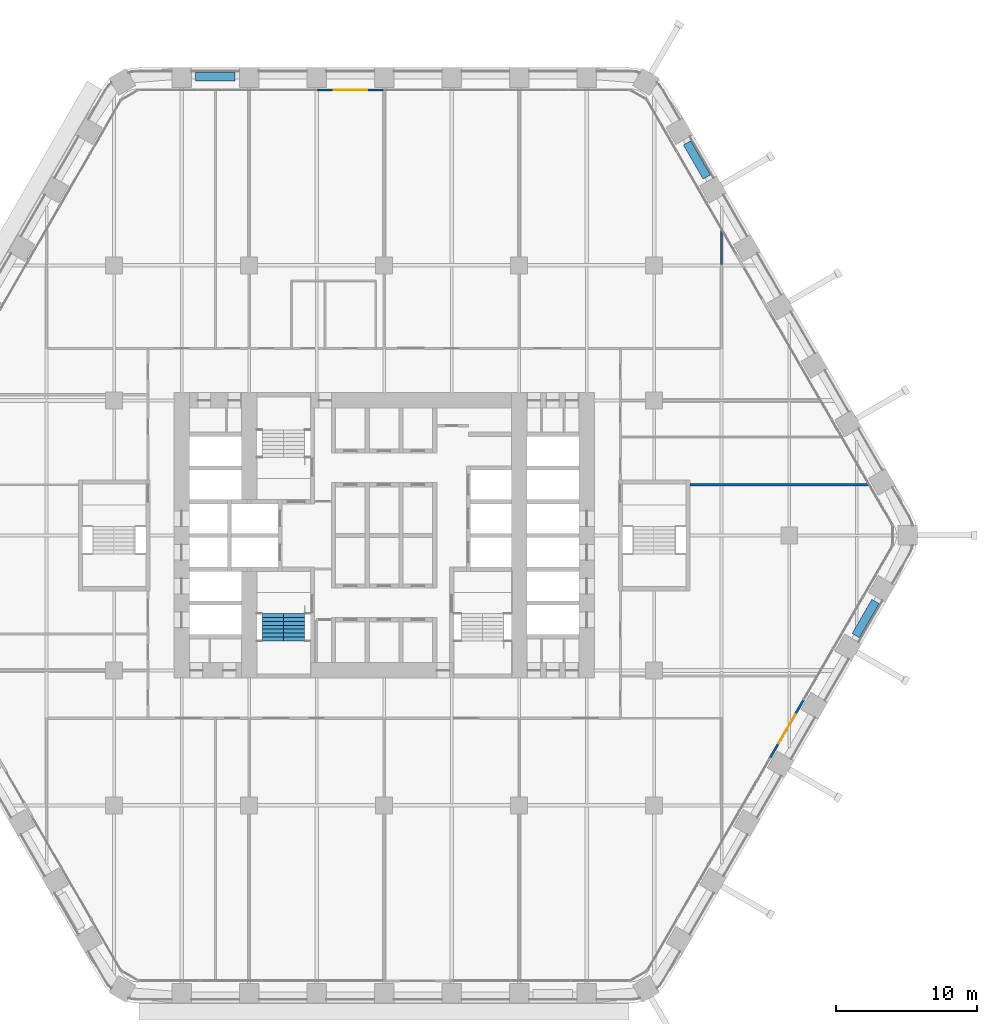
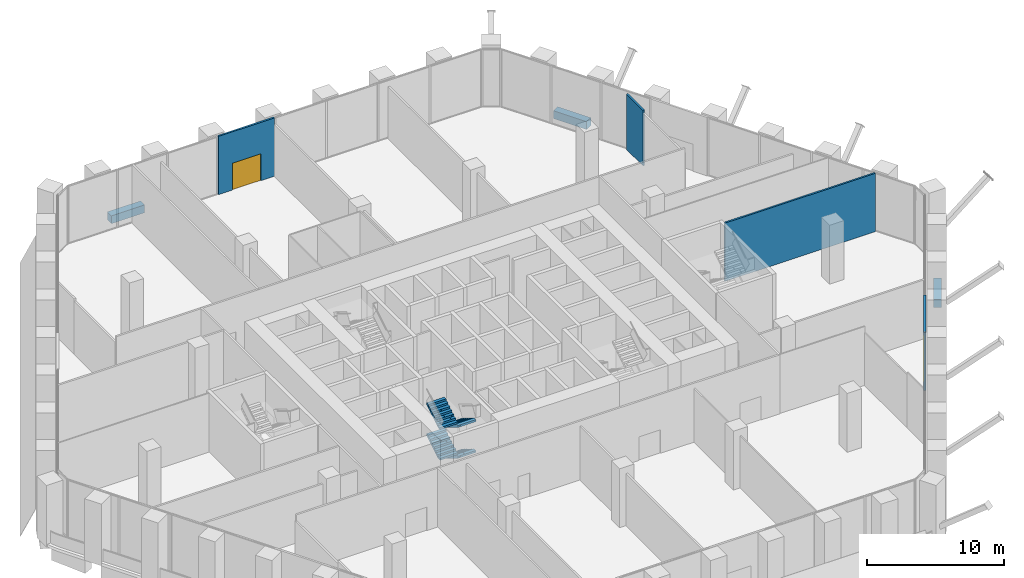
# One storey, part 23 of 29: 7 walls, 4 stair flights, 2 doors, 2 openings, 1 element without a shape of its own.
"""IFC4 building model written with IfcOpenShell, lengths in metres."""

import ifcopenshell
import ifcopenshell.guid

model = None  # the IFC model being written
_history = None  # IfcOwnerHistory: only IFC2X3 demands one
_inside = {}  # id of a spatial element -> (the spatial element, [elements in it])
_under = {}  # id of a project, library or spatial element -> (it, [spatial elements below it])
_declared = {}  # id of a project -> (the project, [libraries it declares])
_typed = {}  # id of a type object -> (the type object, [elements of that type])
_made_of = {}  # id of a material, layer set ... -> (it, [elements and type objects made of it])


def new_model(schema):
    """Start an empty IFC model of exactly this schema.

    Asked for "IFC4X3", IfcOpenShell would pick the latest addendum, in which some entities
    have other attributes; the version numbers below select the first issue.
    IFC2X3 requires an IfcOwnerHistory on every rooted entity: one is made here for all.
    """
    global model, _history
    if schema == "IFC4X3":
        model = ifcopenshell.file(schema_version=(4, 3, 0, 0))
    else:
        model = ifcopenshell.file(schema=schema)
    _inside.clear()
    _under.clear()
    _declared.clear()
    _typed.clear()
    _made_of.clear()
    _history = None
    if model.schema == "IFC2X3":
        org = make("IfcOrganization", Name="unknown")
        user = make(
            "IfcPersonAndOrganization",
            ThePerson=make("IfcPerson", FamilyName="unknown"),
            TheOrganization=org,
        )
        app = make(
            "IfcApplication",
            ApplicationDeveloper=org,
            Version="unknown",
            ApplicationFullName="unknown",
            ApplicationIdentifier="unknown",
        )
        _history = make(
            "IfcOwnerHistory",
            OwningUser=user,
            OwningApplication=app,
            ChangeAction="ADDED",
            CreationDate=0,
        )
    return model


def make(cls, **values):
    """One entity of the class cls with the attributes given. An attribute that is None is left unset."""
    return model.create_entity(
        cls, **{name: value for name, value in values.items() if value is not None}
    )


def rooted(cls, **values):
    """An entity with a GlobalId (a new one), such as an element, a storey or a relation."""
    return make(cls, GlobalId=ifcopenshell.guid.new(), OwnerHistory=_history, **values)


def si_unit(unit_type, name, prefix=None):
    """IfcSIUnit, for example si_unit("LENGTHUNIT", "METRE", prefix="MILLI")."""
    return make("IfcSIUnit", UnitType=unit_type, Prefix=prefix, Name=name)


def assignment(units):
    """IfcUnitAssignment: the units of a project."""
    return None if units is None else make("IfcUnitAssignment", Units=units)


def point(xyz):
    """IfcCartesianPoint."""
    return None if xyz is None else make("IfcCartesianPoint", Coordinates=xyz)


def direction(xyz):
    """IfcDirection."""
    return None if xyz is None else make("IfcDirection", DirectionRatios=xyz)


def frame(location, z_axis=None, x_axis=None):
    """IfcAxis2Placement3D, a coordinate frame: its origin and axes. An axis left out is left unset."""
    return make(
        "IfcAxis2Placement3D",
        Location=point(location),
        Axis=direction(z_axis),
        RefDirection=direction(x_axis),
    )


def frame_2d(location, x_axis=None):
    """IfcAxis2Placement2D, a coordinate frame in the plane: its origin and x axis."""
    return make(
        "IfcAxis2Placement2D", Location=point(location), RefDirection=direction(x_axis)
    )


def origin():
    """The frame at (0, 0, 0) with its axes left unset."""
    return frame((0.0, 0.0, 0.0))


def place(relative_to, where):
    """IfcLocalPlacement: puts the frame where relative to a parent placement (None: the world)."""
    return make(
        "IfcLocalPlacement", PlacementRelTo=relative_to, RelativePlacement=where
    )


def context(
    kind, dimensions, precision=None, world=None, true_north=None, identifier=None
):
    """IfcGeometricRepresentationContext, for example the 3D "Model" context."""
    return make(
        "IfcGeometricRepresentationContext",
        ContextIdentifier=identifier,
        ContextType=kind,
        CoordinateSpaceDimension=dimensions,
        Precision=precision,
        WorldCoordinateSystem=world,
        TrueNorth=true_north,
    )


def subcontext(parent, identifier, kind, view, scale=None):
    """IfcGeometricRepresentationSubContext, for example "Body" below "Model"."""
    return make(
        "IfcGeometricRepresentationSubContext",
        ContextIdentifier=identifier,
        ContextType=kind,
        ParentContext=parent,
        TargetScale=scale,
        TargetView=view,
    )


def project(units=None, contexts=None):
    """IfcProject with its units and contexts."""
    return rooted(
        "IfcProject",
        Name="project",
        RepresentationContexts=contexts,
        UnitsInContext=assignment(units),
    )


def spatial(cls, under=None, at=None, **own):
    """A site, building, storey or space (cls), placed at a placement, below another one or the project."""
    s = rooted(cls, ObjectPlacement=at, **own)
    if under is not None:
        _under.setdefault(under.id(), (under, []))[1].append(s)
    return s


def polyline(points):
    """IfcPolyline through the points."""
    return make("IfcPolyline", Points=[point(p) for p in points])


def profile(cls, at=None, kind="AREA", **sizes):
    """A parametric profile (cls). Its sizes go by their IFC names, for example OverallWidth=200.0."""
    return make(cls, ProfileType=kind, Position=at, **sizes)


def rectangle(**sizes):
    """IfcRectangleProfileDef."""
    return profile("IfcRectangleProfileDef", **sizes)


def outline(outer, holes=None, kind="AREA"):
    """IfcArbitraryClosedProfileDef: a profile drawn as a closed curve; with holes, ...WithVoids."""
    if holes is None:
        return make("IfcArbitraryClosedProfileDef", ProfileType=kind, OuterCurve=outer)
    return make(
        "IfcArbitraryProfileDefWithVoids",
        ProfileType=kind,
        OuterCurve=outer,
        InnerCurves=holes,
    )


def extrude(swept, where, along, depth):
    """IfcExtrudedAreaSolid: the profile swept, set in the frame where, extruded along a direction by depth."""
    return make(
        "IfcExtrudedAreaSolid",
        SweptArea=swept,
        Position=where,
        ExtrudedDirection=direction(along),
        Depth=depth,
    )


def shape(context_of_items, identifier, shape_type, items):
    """IfcShapeRepresentation: the items that make up one representation, for example the "Body"."""
    return make(
        "IfcShapeRepresentation",
        ContextOfItems=context_of_items,
        RepresentationIdentifier=identifier,
        RepresentationType=shape_type,
        Items=items,
    )


def material(Name=None, Category=None):
    """IfcMaterial."""
    return make("IfcMaterial", Name=Name, Category=Category)


def layer(
    of_material, thickness, ventilated=None, Name=None, Category=None, Priority=None
):
    """IfcMaterialLayer: one layer of a wall or slab, of a material (None: an air gap)."""
    return make(
        "IfcMaterialLayer",
        Material=of_material,
        LayerThickness=thickness,
        IsVentilated=ventilated,
        Name=Name,
        Category=Category,
        Priority=Priority,
    )


def layer_set(layers, Name=None):
    """IfcMaterialLayerSet."""
    return make("IfcMaterialLayerSet", MaterialLayers=layers, LayerSetName=Name)


def made_of(thing, what):
    """Note that an element or type object is made of a material, layer set ...; save() writes the relation."""
    if what is not None:
        _made_of.setdefault(what.id(), (what, []))[1].append(thing)
    return thing


def type_object(cls, material=None, **own):
    """A type object (cls), such as IfcWallType, which elements share."""
    return made_of(rooted(cls, **own), material)


def element(
    cls,
    number,
    at=None,
    inside=None,
    cuts=None,
    type_object=None,
    material=None,
    context=None,
    identifier="Body",
    shape_type=None,
    held_by="IfcProductDefinitionShape",
    body=None,
    shapes=None,
    **own,
):
    """One element of the class cls, such as IfcWall. Its Tag is "e" and its number.

    at: its placement. inside: the storey or other place that contains it. cuts: it is an
    opening in that element (IfcRelVoidsElement). A single representation is given by context,
    identifier, shape_type and body (its items); several are given by shapes. held_by: the class
    of the entity that holds the representations. save() writes the other relations.
    """
    e = rooted(cls, Tag="e%d" % number, ObjectPlacement=at, **own)
    if body is not None:
        shapes = [shape(context, identifier, shape_type, body)]
    if shapes is not None:
        e.Representation = make(held_by, Representations=shapes)
    if inside is not None:
        _inside.setdefault(inside.id(), (inside, []))[1].append(e)
    if cuts is not None:
        rooted(
            "IfcRelVoidsElement", RelatingBuildingElement=cuts, RelatedOpeningElement=e
        )
    if type_object is not None:
        _typed.setdefault(type_object.id(), (type_object, []))[1].append(e)
    return made_of(e, material)


def fill(opening, filler):
    """IfcRelFillsElement: the door or window that sits in an opening."""
    return rooted(
        "IfcRelFillsElement",
        RelatingOpeningElement=opening,
        RelatedBuildingElement=filler,
    )


def aggregate(whole, parts):
    """IfcRelAggregates: a whole, such as a stair, and the parts it consists of."""
    return rooted("IfcRelAggregates", RelatingObject=whole, RelatedObjects=parts)


def save(model, path):
    """Write the relations noted so far, then the file.

    IfcRelAggregates (storeys below a building ...), IfcRelContainedInSpatialStructure (elements
    in a storey), IfcRelDefinesByType, IfcRelAssociatesMaterial and IfcRelDeclares: one each for
    every whole, place, type object, material and project.
    """
    for whole, parts in _under.values():
        aggregate(whole, parts)
    for where, things in _inside.values():
        rooted(
            "IfcRelContainedInSpatialStructure",
            RelatedElements=things,
            RelatingStructure=where,
        )
    for kind, things in _typed.values():
        rooted("IfcRelDefinesByType", RelatedObjects=things, RelatingType=kind)
    for what, things in _made_of.values():
        rooted("IfcRelAssociatesMaterial", RelatedObjects=things, RelatingMaterial=what)
    for by, libraries in _declared.values():
        rooted("IfcRelDeclares", RelatingContext=by, RelatedDefinitions=libraries)
    model.write(path)


model = new_model("IFC4")

# Units and contexts
model_context = context("Model", 3, precision=1e-05, world=origin(), true_north=direction((0.0, 1.0)))
body_context = subcontext(model_context, "Body", "Model", "MODEL_VIEW")
ifc_project = project(units=[si_unit("LENGTHUNIT", "METRE"), si_unit("AREAUNIT", "SQUARE_METRE"), si_unit("VOLUMEUNIT", "CUBIC_METRE"), si_unit("PLANEANGLEUNIT", "RADIAN"), si_unit("MASSUNIT", "GRAM", prefix="KILO")], contexts=[model_context])

# Site, building, storey
site_placement = place(None, origin())
site = spatial("IfcSite", under=ifc_project, at=site_placement, CompositionType="ELEMENT")
building_placement = place(site_placement, origin())
building = spatial("IfcBuilding", under=site, at=building_placement, Name="Kolab Exchange Tower", CompositionType="ELEMENT")
storey_placement = place(building_placement, frame((0.0, 0.0, 55.39990234375)))
storey = spatial("IfcBuildingStorey", under=building, at=storey_placement, Name="L10", CompositionType="ELEMENT", Elevation=55.39990234375)

# Wall, opening, door
ifc_material_1 = material(Name="Aluminium EN AW-6063 T6", Category="aluminium")
ifc_layer_1 = layer(ifc_material_1, 0.159912109375)
ifc_layer_set_1 = layer_set([ifc_layer_1], Name="Aluminium EN AW-6063 T6")
wall_type_1 = type_object("IfcWallType", Name="DOOR SURROUND WALL 160 ALUMINIUM FRAMED", PredefinedType="PARTITIONING", material=ifc_layer_set_1)
wall_1_placement = place(storey_placement, frame((-4.77001953125, 31.67529296875, 0.0), z_axis=(0.0, 0.0, 1.0), x_axis=(1.0, 0.0, 0.0)))
wall_1 = element("IfcWall", 1, at=wall_1_placement, inside=storey, type_object=wall_type_1, Name="Door surround wall", PredefinedType="PARTITIONING", context=body_context, shape_type="SweptSolid", body=[
    extrude(rectangle(XDim=4.739990234375, YDim=0.159912109375, at=frame_2d((2.3701171875, 0.0))), origin(), (0.0, 0.0, 1.0), 5.2001953125),
])
opening_1_placement = place(wall_1_placement, frame((1.169921875, 0.0, 0.0)))
opening_1 = element("IfcOpeningElement", 2, at=opening_1_placement, cuts=wall_1, Name="Opening GD1-023", PredefinedType="OPENING", context=body_context, shape_type="SweptSolid", body=[
    extrude(rectangle(XDim=2.39990234375, YDim=2.39990234375, at=frame_2d((1.199951171875, 1.199951171875))), frame((0.0, 0.08984375, 0.0), z_axis=(0.0, -1.0, 0.0), x_axis=(1.0, 0.0, 0.0)), (0.0, 0.0, 1.0), 0.179931640625),
])
door_type = type_object("IfcDoorType", Name="LOGGIA SLIDING GLASS DOOR 2400 X 2400", OperationType="DOUBLE_DOOR_SINGLE_SWING", PredefinedType="DOOR", material=ifc_material_1)
door_1_placement = place(opening_1_placement, origin())
door_1 = element("IfcDoor", 3, at=door_1_placement, inside=storey, type_object=door_type, Name="Loggia door", OperationType="DOUBLE_DOOR_SLIDING", OverallHeight=2.39990234375, OverallWidth=2.39990234375, PredefinedType="DOOR", context=body_context, shape_type="SweptSolid", body=[
    extrude(rectangle(XDim=2.39990234375, YDim=2.39990234375, at=frame_2d((1.199951171875, 1.199951171875))), frame((0.0, 0.02490234375, 0.0), z_axis=(0.0, -1.0, 0.0), x_axis=(1.0, 0.0, 0.0)), (0.0, 0.0, 1.0), 0.050048828125),
])
fill(opening_1, door_1)

wall_2_placement = place(storey_placement, frame((29.816650390625, -11.706787109375, 0.0), z_axis=(0.0, 0.0, 1.0), x_axis=(-0.499978080042, -0.866038058908, 0.0)))
wall_2 = element("IfcWall", 4, at=wall_2_placement, inside=storey, type_object=wall_type_1, Name="Door surround wall", PredefinedType="PARTITIONING", context=body_context, shape_type="SweptSolid", body=[
    extrude(rectangle(XDim=4.739990234375, YDim=0.159912109375, at=frame_2d((2.3701171875, 0.0))), origin(), (0.0, 0.0, 1.0), 5.2001953125),
])
opening_2_placement = place(wall_2_placement, frame((1.169921875, 0.0, 0.0)))
opening_2 = element("IfcOpeningElement", 5, at=opening_2_placement, cuts=wall_2, Name="Opening GD1-025", PredefinedType="OPENING", context=body_context, shape_type="SweptSolid", body=[
    extrude(rectangle(XDim=2.39990234375, YDim=2.39990234375, at=frame_2d((1.199951171875, 1.199951171875))), frame((0.0, 0.08984375, 0.0), z_axis=(0.0, -1.0, 0.0), x_axis=(1.0, 0.0, 0.0)), (0.0, 0.0, 1.0), 0.179931640625),
])
door_2_placement = place(opening_2_placement, origin())
door_2 = element("IfcDoor", 6, at=door_2_placement, inside=storey, type_object=door_type, Name="Loggia door", OperationType="DOUBLE_DOOR_SLIDING", OverallHeight=2.39990234375, OverallWidth=2.39990234375, PredefinedType="DOOR", context=body_context, shape_type="SweptSolid", body=[
    extrude(rectangle(XDim=2.39990234375, YDim=2.39990234375, at=frame_2d((1.199951171875, 1.199951171875))), frame((0.0, 0.02490234375, 0.0), z_axis=(0.0, -1.0, 0.0), x_axis=(1.0, 0.0, 0.0)), (0.0, 0.0, 1.0), 0.050048828125),
])
fill(opening_2, door_2)

# Walls
ifc_material_2 = material(Name="Gypsum board", Category="gypsum")
ifc_layer_2 = layer(ifc_material_2, 0.14990234375)
ifc_layer_set_2 = layer_set([ifc_layer_2], Name="Gypsum board")
wall_type_2 = type_object("IfcWallType", Name="PARTITION 150 FIRE-RATED", PredefinedType="PARTITIONING", material=ifc_layer_set_2)
wall_3_placement = place(storey_placement, frame((24.0, 19.27392578125, 0.0), z_axis=(0.0, 0.0, 1.0), x_axis=(0.0, 1.0, 0.0)))
element("IfcWall", 7, at=wall_3_placement, inside=storey, type_object=wall_type_2, Name="Partition 001", PredefinedType="PARTITIONING", context=body_context, shape_type="SweptSolid", body=[
    extrude(rectangle(XDim=2.427490234375, YDim=0.14990234375, at=frame_2d((1.2138671875, 0.0))), origin(), (0.0, 0.0, 1.0), 4.940185546875),
])
wall_4_placement = place(storey_placement, frame((21.75, 3.60009765625, 0.0), z_axis=(0.0, 0.0, 1.0), x_axis=(1.0, 0.0, 0.0)))
element("IfcWall", 8, at=wall_4_placement, inside=storey, type_object=wall_type_2, Name="Partition 041", PredefinedType="PARTITIONING", context=body_context, shape_type="SweptSolid", body=[
    extrude(rectangle(XDim=12.700927734375, YDim=0.14990234375, at=frame_2d((6.3505859375, 0.0))), origin(), (0.0, 0.0, 1.0), 5.2001953125),
])
ifc_material_3 = material(Name="Granite facing", Category="masonry")
ifc_layer_3 = layer(ifc_material_3, 0.0400390625)
ifc_material_4 = material(Name="Concrete C40/50 precast", Category="concrete")
ifc_layer_4 = layer(ifc_material_4, 0.56005859375)
ifc_layer_set_3 = layer_set([ifc_layer_3, ifc_layer_4], Name="Concrete C40/50 precast")
wall_type_3 = type_object("IfcWallType", Name="PLANTER BOX 600 X 700 SOIL DEPTH 550", PredefinedType="USERDEFINED", material=ifc_layer_set_3)
for number, where, z_axis, x_axis, name in (
    (9, (-13.39990234375, 32.60546875, 0.0), (0.0, 0.0, 1.0), (1.0, 0.0, 0.0), "Planter"),
    (10, (21.537109375, 27.907470703125, 0.0), (0.0, 0.0, 1.0), (0.49998411664, -0.866034573852, 0.0), "Planter"),
    (11, (34.93701171875, -4.697998046875, 0.0), (0.0, 0.0, 1.0), (-0.49998411664, -0.866034573852, 0.0), "Planter"),
):
    element("IfcWall", number, at=place(storey_placement, frame(where, z_axis=z_axis, x_axis=x_axis)), inside=storey, type_object=wall_type_3, Name=name, ObjectType="PLANTER", PredefinedType="USERDEFINED", context=body_context, shape_type="SweptSolid", body=[
        extrude(rectangle(XDim=2.7998046875, YDim=0.60009765625, at=frame_2d((1.39990234375, 0.0))), origin(), (0.0, 0.0, 1.0), 0.7001953125),
    ])

# Stair, stair flights
ifc_material_5 = material(Name="Concrete C50/60", Category="concrete")
stair_type = type_object("IfcStairType", Name="STAIR ST3 RISER 171.9", PredefinedType="DOUBLE_RETURN_STAIR", material=ifc_material_5)
stair_placement = place(storey_placement, origin())
stair = element("IfcStair", 12, at=stair_placement, inside=storey, type_object=stair_type, Name="Stair 3", PredefinedType="DOUBLE_RETURN_STAIR")
stair_flight_type = type_object("IfcStairFlightType", Name="STAIR FLIGHT 1500 RISER 171.9", PredefinedType="STRAIGHT", material=ifc_material_5)
stair_flight_1_placement = place(storey_placement, frame((-6.389892578125, -5.550048828125, 0.0), z_axis=(0.0, 0.0, 1.0), x_axis=(0.0, -1.0, 0.0)))
stair_flight_1 = element("IfcStairFlight", 13, at=stair_flight_1_placement, type_object=stair_flight_type, Name="ST3 flight 1", NumberOfRisers=8, NumberOfTreads=7, PredefinedType="STRAIGHT", RiserHeight=0.171875, TreadLength=0.28, context=body_context, shape_type="SweptSolid", body=[
    extrude(outline(polyline([(0.0, 0.0), (0.0, 0.171875), (0.280029296875, 0.171875), (0.280029296875, 0.34375), (0.56005859375, 0.34375), (0.56005859375, 0.515625), (0.840087890625, 0.515625), (0.840087890625, 0.6875), (1.1201171875, 0.6875), (1.1201171875, 0.859375), (1.39990234375, 0.859375), (1.39990234375, 1.03125), (1.679931640625, 1.03125), (1.679931640625, 1.203125), (1.9599609375, 1.203125), (1.9599609375, 1.375), (1.9599609375, 1.02734375), (0.28662109375, 0.0), (0.0, 0.0)])), frame((0.0, 0.75, 0.0), z_axis=(0.0, -1.0, 0.0), x_axis=(1.0, 0.0, 0.0)), (0.0, 0.0, 1.0), 0.185791015625),
    extrude(outline(polyline([(0.0, 0.0), (0.0, 0.171875), (0.280029296875, 0.171875), (0.280029296875, 0.34375), (0.56005859375, 0.34375), (0.56005859375, 0.515625), (0.840087890625, 0.515625), (0.840087890625, 0.6875), (1.1201171875, 0.6875), (1.1201171875, 0.859375), (1.39990234375, 0.859375), (1.39990234375, 1.03125), (1.679931640625, 1.03125), (1.679931640625, 1.203125), (1.9599609375, 1.203125), (1.9599609375, 1.375), (1.9599609375, 1.02734375), (0.28662109375, 0.0), (0.0, 0.0)])), frame((0.0, 0.562255859375, 0.0), z_axis=(0.0, -1.0, 0.0), x_axis=(1.0, 0.0, 0.0)), (0.0, 0.0, 1.0), 0.185791015625),
    extrude(outline(polyline([(0.0, 0.0), (0.0, 0.171875), (0.280029296875, 0.171875), (0.280029296875, 0.34375), (0.56005859375, 0.34375), (0.56005859375, 0.515625), (0.840087890625, 0.515625), (0.840087890625, 0.6875), (1.1201171875, 0.6875), (1.1201171875, 0.859375), (1.39990234375, 0.859375), (1.39990234375, 1.03125), (1.679931640625, 1.03125), (1.679931640625, 1.203125), (1.9599609375, 1.203125), (1.9599609375, 1.375), (1.9599609375, 1.02734375), (0.28662109375, 0.0), (0.0, 0.0)])), frame((0.0, 0.37451171875, 0.0), z_axis=(0.0, -1.0, 0.0), x_axis=(1.0, 0.0, 0.0)), (0.0, 0.0, 1.0), 0.185791015625),
    extrude(outline(polyline([(0.0, 0.0), (0.0, 0.171875), (0.280029296875, 0.171875), (0.280029296875, 0.34375), (0.56005859375, 0.34375), (0.56005859375, 0.515625), (0.840087890625, 0.515625), (0.840087890625, 0.6875), (1.1201171875, 0.6875), (1.1201171875, 0.859375), (1.39990234375, 0.859375), (1.39990234375, 1.03125), (1.679931640625, 1.03125), (1.679931640625, 1.203125), (1.9599609375, 1.203125), (1.9599609375, 1.375), (1.9599609375, 1.02734375), (0.28662109375, 0.0), (0.0, 0.0)])), frame((0.0, 0.186767578125, 0.0), z_axis=(0.0, -1.0, 0.0), x_axis=(1.0, 0.0, 0.0)), (0.0, 0.0, 1.0), 0.185791015625),
    extrude(outline(polyline([(0.0, 0.0), (0.0, 0.171875), (0.280029296875, 0.171875), (0.280029296875, 0.34375), (0.56005859375, 0.34375), (0.56005859375, 0.515625), (0.840087890625, 0.515625), (0.840087890625, 0.6875), (1.1201171875, 0.6875), (1.1201171875, 0.859375), (1.39990234375, 0.859375), (1.39990234375, 1.03125), (1.679931640625, 1.03125), (1.679931640625, 1.203125), (1.9599609375, 1.203125), (1.9599609375, 1.375), (1.9599609375, 1.02734375), (0.28662109375, 0.0), (0.0, 0.0)])), frame((0.0, -0.0009765625, 0.0), z_axis=(0.0, -1.0, 0.0), x_axis=(1.0, 0.0, 0.0)), (0.0, 0.0, 1.0), 0.185791015625),
    extrude(outline(polyline([(0.0, 0.0), (0.0, 0.171875), (0.280029296875, 0.171875), (0.280029296875, 0.34375), (0.56005859375, 0.34375), (0.56005859375, 0.515625), (0.840087890625, 0.515625), (0.840087890625, 0.6875), (1.1201171875, 0.6875), (1.1201171875, 0.859375), (1.39990234375, 0.859375), (1.39990234375, 1.03125), (1.679931640625, 1.03125), (1.679931640625, 1.203125), (1.9599609375, 1.203125), (1.9599609375, 1.375), (1.9599609375, 1.02734375), (0.28662109375, 0.0), (0.0, 0.0)])), frame((0.0, -0.188720703125, 0.0), z_axis=(0.0, -1.0, 0.0), x_axis=(1.0, 0.0, 0.0)), (0.0, 0.0, 1.0), 0.185791015625),
    extrude(outline(polyline([(0.0, 0.0), (0.0, 0.171875), (0.280029296875, 0.171875), (0.280029296875, 0.34375), (0.56005859375, 0.34375), (0.56005859375, 0.515625), (0.840087890625, 0.515625), (0.840087890625, 0.6875), (1.1201171875, 0.6875), (1.1201171875, 0.859375), (1.39990234375, 0.859375), (1.39990234375, 1.03125), (1.679931640625, 1.03125), (1.679931640625, 1.203125), (1.9599609375, 1.203125), (1.9599609375, 1.375), (1.9599609375, 1.02734375), (0.28662109375, 0.0), (0.0, 0.0)])), frame((0.0, -0.37646484375, 0.0), z_axis=(0.0, -1.0, 0.0), x_axis=(1.0, 0.0, 0.0)), (0.0, 0.0, 1.0), 0.185791015625),
    extrude(outline(polyline([(0.0, 0.0), (0.0, 0.171875), (0.280029296875, 0.171875), (0.280029296875, 0.34375), (0.56005859375, 0.34375), (0.56005859375, 0.515625), (0.840087890625, 0.515625), (0.840087890625, 0.6875), (1.1201171875, 0.6875), (1.1201171875, 0.859375), (1.39990234375, 0.859375), (1.39990234375, 1.03125), (1.679931640625, 1.03125), (1.679931640625, 1.203125), (1.9599609375, 1.203125), (1.9599609375, 1.375), (1.9599609375, 1.02734375), (0.28662109375, 0.0), (0.0, 0.0)])), frame((0.0, -0.564208984375, 0.0), z_axis=(0.0, -1.0, 0.0), x_axis=(1.0, 0.0, 0.0)), (0.0, 0.0, 1.0), 0.185791015625),
])
stair_flight_2_placement = place(storey_placement, frame((-7.909912109375, -7.510009765625, 1.375), z_axis=(0.0, 0.0, 1.0), x_axis=(0.0, 1.0, 0.0)))
stair_flight_2 = element("IfcStairFlight", 14, at=stair_flight_2_placement, type_object=stair_flight_type, Name="ST3 flight 2", NumberOfRisers=8, NumberOfTreads=7, PredefinedType="STRAIGHT", RiserHeight=0.171875, TreadLength=0.28, context=body_context, shape_type="SweptSolid", body=[
    extrude(outline(polyline([(0.0, 0.0), (0.0, 0.171875), (0.280029296875, 0.171875), (0.280029296875, 0.34375), (0.56005859375, 0.34375), (0.56005859375, 0.515625), (0.840087890625, 0.515625), (0.840087890625, 0.6875), (1.1201171875, 0.6875), (1.1201171875, 0.859375), (1.39990234375, 0.859375), (1.39990234375, 1.03125), (1.679931640625, 1.03125), (1.679931640625, 1.203125), (1.9599609375, 1.203125), (1.9599609375, 1.375), (1.9599609375, 1.02734375), (0.28662109375, 0.0), (0.0, 0.0)])), frame((0.0, 0.75, 0.0), z_axis=(0.0, -1.0, 0.0), x_axis=(1.0, 0.0, 0.0)), (0.0, 0.0, 1.0), 0.185791015625),
    extrude(outline(polyline([(0.0, 0.0), (0.0, 0.171875), (0.280029296875, 0.171875), (0.280029296875, 0.34375), (0.56005859375, 0.34375), (0.56005859375, 0.515625), (0.840087890625, 0.515625), (0.840087890625, 0.6875), (1.1201171875, 0.6875), (1.1201171875, 0.859375), (1.39990234375, 0.859375), (1.39990234375, 1.03125), (1.679931640625, 1.03125), (1.679931640625, 1.203125), (1.9599609375, 1.203125), (1.9599609375, 1.375), (1.9599609375, 1.02734375), (0.28662109375, 0.0), (0.0, 0.0)])), frame((0.0, 0.562255859375, 0.0), z_axis=(0.0, -1.0, 0.0), x_axis=(1.0, 0.0, 0.0)), (0.0, 0.0, 1.0), 0.185791015625),
    extrude(outline(polyline([(0.0, 0.0), (0.0, 0.171875), (0.280029296875, 0.171875), (0.280029296875, 0.34375), (0.56005859375, 0.34375), (0.56005859375, 0.515625), (0.840087890625, 0.515625), (0.840087890625, 0.6875), (1.1201171875, 0.6875), (1.1201171875, 0.859375), (1.39990234375, 0.859375), (1.39990234375, 1.03125), (1.679931640625, 1.03125), (1.679931640625, 1.203125), (1.9599609375, 1.203125), (1.9599609375, 1.375), (1.9599609375, 1.02734375), (0.28662109375, 0.0), (0.0, 0.0)])), frame((0.0, 0.37451171875, 0.0), z_axis=(0.0, -1.0, 0.0), x_axis=(1.0, 0.0, 0.0)), (0.0, 0.0, 1.0), 0.185791015625),
    extrude(outline(polyline([(0.0, 0.0), (0.0, 0.171875), (0.280029296875, 0.171875), (0.280029296875, 0.34375), (0.56005859375, 0.34375), (0.56005859375, 0.515625), (0.840087890625, 0.515625), (0.840087890625, 0.6875), (1.1201171875, 0.6875), (1.1201171875, 0.859375), (1.39990234375, 0.859375), (1.39990234375, 1.03125), (1.679931640625, 1.03125), (1.679931640625, 1.203125), (1.9599609375, 1.203125), (1.9599609375, 1.375), (1.9599609375, 1.02734375), (0.28662109375, 0.0), (0.0, 0.0)])), frame((0.0, 0.186767578125, 0.0), z_axis=(0.0, -1.0, 0.0), x_axis=(1.0, 0.0, 0.0)), (0.0, 0.0, 1.0), 0.185791015625),
    extrude(outline(polyline([(0.0, 0.0), (0.0, 0.171875), (0.280029296875, 0.171875), (0.280029296875, 0.34375), (0.56005859375, 0.34375), (0.56005859375, 0.515625), (0.840087890625, 0.515625), (0.840087890625, 0.6875), (1.1201171875, 0.6875), (1.1201171875, 0.859375), (1.39990234375, 0.859375), (1.39990234375, 1.03125), (1.679931640625, 1.03125), (1.679931640625, 1.203125), (1.9599609375, 1.203125), (1.9599609375, 1.375), (1.9599609375, 1.02734375), (0.28662109375, 0.0), (0.0, 0.0)])), frame((0.0, -0.0009765625, 0.0), z_axis=(0.0, -1.0, 0.0), x_axis=(1.0, 0.0, 0.0)), (0.0, 0.0, 1.0), 0.185791015625),
    extrude(outline(polyline([(0.0, 0.0), (0.0, 0.171875), (0.280029296875, 0.171875), (0.280029296875, 0.34375), (0.56005859375, 0.34375), (0.56005859375, 0.515625), (0.840087890625, 0.515625), (0.840087890625, 0.6875), (1.1201171875, 0.6875), (1.1201171875, 0.859375), (1.39990234375, 0.859375), (1.39990234375, 1.03125), (1.679931640625, 1.03125), (1.679931640625, 1.203125), (1.9599609375, 1.203125), (1.9599609375, 1.375), (1.9599609375, 1.02734375), (0.28662109375, 0.0), (0.0, 0.0)])), frame((0.0, -0.188720703125, 0.0), z_axis=(0.0, -1.0, 0.0), x_axis=(1.0, 0.0, 0.0)), (0.0, 0.0, 1.0), 0.185791015625),
    extrude(outline(polyline([(0.0, 0.0), (0.0, 0.171875), (0.280029296875, 0.171875), (0.280029296875, 0.34375), (0.56005859375, 0.34375), (0.56005859375, 0.515625), (0.840087890625, 0.515625), (0.840087890625, 0.6875), (1.1201171875, 0.6875), (1.1201171875, 0.859375), (1.39990234375, 0.859375), (1.39990234375, 1.03125), (1.679931640625, 1.03125), (1.679931640625, 1.203125), (1.9599609375, 1.203125), (1.9599609375, 1.375), (1.9599609375, 1.02734375), (0.28662109375, 0.0), (0.0, 0.0)])), frame((0.0, -0.37646484375, 0.0), z_axis=(0.0, -1.0, 0.0), x_axis=(1.0, 0.0, 0.0)), (0.0, 0.0, 1.0), 0.185791015625),
    extrude(outline(polyline([(0.0, 0.0), (0.0, 0.171875), (0.280029296875, 0.171875), (0.280029296875, 0.34375), (0.56005859375, 0.34375), (0.56005859375, 0.515625), (0.840087890625, 0.515625), (0.840087890625, 0.6875), (1.1201171875, 0.6875), (1.1201171875, 0.859375), (1.39990234375, 0.859375), (1.39990234375, 1.03125), (1.679931640625, 1.03125), (1.679931640625, 1.203125), (1.9599609375, 1.203125), (1.9599609375, 1.375), (1.9599609375, 1.02734375), (0.28662109375, 0.0), (0.0, 0.0)])), frame((0.0, -0.564208984375, 0.0), z_axis=(0.0, -1.0, 0.0), x_axis=(1.0, 0.0, 0.0)), (0.0, 0.0, 1.0), 0.185791015625),
])
stair_flight_3_placement = place(storey_placement, frame((-6.389892578125, -5.550048828125, 2.75), z_axis=(0.0, 0.0, 1.0), x_axis=(0.0, -1.0, 0.0)))
stair_flight_3 = element("IfcStairFlight", 15, at=stair_flight_3_placement, type_object=stair_flight_type, Name="ST3 flight 3", NumberOfRisers=8, NumberOfTreads=7, PredefinedType="STRAIGHT", RiserHeight=0.171875, TreadLength=0.28, context=body_context, shape_type="SweptSolid", body=[
    extrude(outline(polyline([(0.0, 0.0), (0.0, 0.171875), (0.280029296875, 0.171875), (0.280029296875, 0.34375), (0.56005859375, 0.34375), (0.56005859375, 0.515625), (0.840087890625, 0.515625), (0.840087890625, 0.6875), (1.1201171875, 0.6875), (1.1201171875, 0.859375), (1.39990234375, 0.859375), (1.39990234375, 1.03125), (1.679931640625, 1.03125), (1.679931640625, 1.203125), (1.9599609375, 1.203125), (1.9599609375, 1.375), (1.9599609375, 1.02734375), (0.28662109375, 0.0), (0.0, 0.0)])), frame((0.0, 0.75, 0.0), z_axis=(0.0, -1.0, 0.0), x_axis=(1.0, 0.0, 0.0)), (0.0, 0.0, 1.0), 0.185791015625),
    extrude(outline(polyline([(0.0, 0.0), (0.0, 0.171875), (0.280029296875, 0.171875), (0.280029296875, 0.34375), (0.56005859375, 0.34375), (0.56005859375, 0.515625), (0.840087890625, 0.515625), (0.840087890625, 0.6875), (1.1201171875, 0.6875), (1.1201171875, 0.859375), (1.39990234375, 0.859375), (1.39990234375, 1.03125), (1.679931640625, 1.03125), (1.679931640625, 1.203125), (1.9599609375, 1.203125), (1.9599609375, 1.375), (1.9599609375, 1.02734375), (0.28662109375, 0.0), (0.0, 0.0)])), frame((0.0, 0.562255859375, 0.0), z_axis=(0.0, -1.0, 0.0), x_axis=(1.0, 0.0, 0.0)), (0.0, 0.0, 1.0), 0.185791015625),
    extrude(outline(polyline([(0.0, 0.0), (0.0, 0.171875), (0.280029296875, 0.171875), (0.280029296875, 0.34375), (0.56005859375, 0.34375), (0.56005859375, 0.515625), (0.840087890625, 0.515625), (0.840087890625, 0.6875), (1.1201171875, 0.6875), (1.1201171875, 0.859375), (1.39990234375, 0.859375), (1.39990234375, 1.03125), (1.679931640625, 1.03125), (1.679931640625, 1.203125), (1.9599609375, 1.203125), (1.9599609375, 1.375), (1.9599609375, 1.02734375), (0.28662109375, 0.0), (0.0, 0.0)])), frame((0.0, 0.37451171875, 0.0), z_axis=(0.0, -1.0, 0.0), x_axis=(1.0, 0.0, 0.0)), (0.0, 0.0, 1.0), 0.185791015625),
    extrude(outline(polyline([(0.0, 0.0), (0.0, 0.171875), (0.280029296875, 0.171875), (0.280029296875, 0.34375), (0.56005859375, 0.34375), (0.56005859375, 0.515625), (0.840087890625, 0.515625), (0.840087890625, 0.6875), (1.1201171875, 0.6875), (1.1201171875, 0.859375), (1.39990234375, 0.859375), (1.39990234375, 1.03125), (1.679931640625, 1.03125), (1.679931640625, 1.203125), (1.9599609375, 1.203125), (1.9599609375, 1.375), (1.9599609375, 1.02734375), (0.28662109375, 0.0), (0.0, 0.0)])), frame((0.0, 0.186767578125, 0.0), z_axis=(0.0, -1.0, 0.0), x_axis=(1.0, 0.0, 0.0)), (0.0, 0.0, 1.0), 0.185791015625),
    extrude(outline(polyline([(0.0, 0.0), (0.0, 0.171875), (0.280029296875, 0.171875), (0.280029296875, 0.34375), (0.56005859375, 0.34375), (0.56005859375, 0.515625), (0.840087890625, 0.515625), (0.840087890625, 0.6875), (1.1201171875, 0.6875), (1.1201171875, 0.859375), (1.39990234375, 0.859375), (1.39990234375, 1.03125), (1.679931640625, 1.03125), (1.679931640625, 1.203125), (1.9599609375, 1.203125), (1.9599609375, 1.375), (1.9599609375, 1.02734375), (0.28662109375, 0.0), (0.0, 0.0)])), frame((0.0, -0.0009765625, 0.0), z_axis=(0.0, -1.0, 0.0), x_axis=(1.0, 0.0, 0.0)), (0.0, 0.0, 1.0), 0.185791015625),
    extrude(outline(polyline([(0.0, 0.0), (0.0, 0.171875), (0.280029296875, 0.171875), (0.280029296875, 0.34375), (0.56005859375, 0.34375), (0.56005859375, 0.515625), (0.840087890625, 0.515625), (0.840087890625, 0.6875), (1.1201171875, 0.6875), (1.1201171875, 0.859375), (1.39990234375, 0.859375), (1.39990234375, 1.03125), (1.679931640625, 1.03125), (1.679931640625, 1.203125), (1.9599609375, 1.203125), (1.9599609375, 1.375), (1.9599609375, 1.02734375), (0.28662109375, 0.0), (0.0, 0.0)])), frame((0.0, -0.188720703125, 0.0), z_axis=(0.0, -1.0, 0.0), x_axis=(1.0, 0.0, 0.0)), (0.0, 0.0, 1.0), 0.185791015625),
    extrude(outline(polyline([(0.0, 0.0), (0.0, 0.171875), (0.280029296875, 0.171875), (0.280029296875, 0.34375), (0.56005859375, 0.34375), (0.56005859375, 0.515625), (0.840087890625, 0.515625), (0.840087890625, 0.6875), (1.1201171875, 0.6875), (1.1201171875, 0.859375), (1.39990234375, 0.859375), (1.39990234375, 1.03125), (1.679931640625, 1.03125), (1.679931640625, 1.203125), (1.9599609375, 1.203125), (1.9599609375, 1.375), (1.9599609375, 1.02734375), (0.28662109375, 0.0), (0.0, 0.0)])), frame((0.0, -0.37646484375, 0.0), z_axis=(0.0, -1.0, 0.0), x_axis=(1.0, 0.0, 0.0)), (0.0, 0.0, 1.0), 0.185791015625),
    extrude(outline(polyline([(0.0, 0.0), (0.0, 0.171875), (0.280029296875, 0.171875), (0.280029296875, 0.34375), (0.56005859375, 0.34375), (0.56005859375, 0.515625), (0.840087890625, 0.515625), (0.840087890625, 0.6875), (1.1201171875, 0.6875), (1.1201171875, 0.859375), (1.39990234375, 0.859375), (1.39990234375, 1.03125), (1.679931640625, 1.03125), (1.679931640625, 1.203125), (1.9599609375, 1.203125), (1.9599609375, 1.375), (1.9599609375, 1.02734375), (0.28662109375, 0.0), (0.0, 0.0)])), frame((0.0, -0.564208984375, 0.0), z_axis=(0.0, -1.0, 0.0), x_axis=(1.0, 0.0, 0.0)), (0.0, 0.0, 1.0), 0.185791015625),
])
stair_flight_4_placement = place(storey_placement, frame((-7.909912109375, -7.510009765625, 4.125), z_axis=(0.0, 0.0, 1.0), x_axis=(0.0, 1.0, 0.0)))
stair_flight_4 = element("IfcStairFlight", 16, at=stair_flight_4_placement, type_object=stair_flight_type, Name="ST3 flight 4", NumberOfRisers=8, NumberOfTreads=7, PredefinedType="STRAIGHT", RiserHeight=0.171875, TreadLength=0.28, context=body_context, shape_type="SweptSolid", body=[
    extrude(outline(polyline([(0.0, 0.0), (0.0, 0.171875), (0.280029296875, 0.171875), (0.280029296875, 0.34375), (0.56005859375, 0.34375), (0.56005859375, 0.515625), (0.840087890625, 0.515625), (0.840087890625, 0.6875), (1.1201171875, 0.6875), (1.1201171875, 0.859375), (1.39990234375, 0.859375), (1.39990234375, 1.03125), (1.679931640625, 1.03125), (1.679931640625, 1.203125), (1.9599609375, 1.203125), (1.9599609375, 1.375), (1.9599609375, 1.02734375), (0.28662109375, 0.0), (0.0, 0.0)])), frame((0.0, 0.75, 0.0), z_axis=(0.0, -1.0, 0.0), x_axis=(1.0, 0.0, 0.0)), (0.0, 0.0, 1.0), 0.185791015625),
    extrude(outline(polyline([(0.0, 0.0), (0.0, 0.171875), (0.280029296875, 0.171875), (0.280029296875, 0.34375), (0.56005859375, 0.34375), (0.56005859375, 0.515625), (0.840087890625, 0.515625), (0.840087890625, 0.6875), (1.1201171875, 0.6875), (1.1201171875, 0.859375), (1.39990234375, 0.859375), (1.39990234375, 1.03125), (1.679931640625, 1.03125), (1.679931640625, 1.203125), (1.9599609375, 1.203125), (1.9599609375, 1.375), (1.9599609375, 1.02734375), (0.28662109375, 0.0), (0.0, 0.0)])), frame((0.0, 0.562255859375, 0.0), z_axis=(0.0, -1.0, 0.0), x_axis=(1.0, 0.0, 0.0)), (0.0, 0.0, 1.0), 0.185791015625),
    extrude(outline(polyline([(0.0, 0.0), (0.0, 0.171875), (0.280029296875, 0.171875), (0.280029296875, 0.34375), (0.56005859375, 0.34375), (0.56005859375, 0.515625), (0.840087890625, 0.515625), (0.840087890625, 0.6875), (1.1201171875, 0.6875), (1.1201171875, 0.859375), (1.39990234375, 0.859375), (1.39990234375, 1.03125), (1.679931640625, 1.03125), (1.679931640625, 1.203125), (1.9599609375, 1.203125), (1.9599609375, 1.375), (1.9599609375, 1.02734375), (0.28662109375, 0.0), (0.0, 0.0)])), frame((0.0, 0.37451171875, 0.0), z_axis=(0.0, -1.0, 0.0), x_axis=(1.0, 0.0, 0.0)), (0.0, 0.0, 1.0), 0.185791015625),
    extrude(outline(polyline([(0.0, 0.0), (0.0, 0.171875), (0.280029296875, 0.171875), (0.280029296875, 0.34375), (0.56005859375, 0.34375), (0.56005859375, 0.515625), (0.840087890625, 0.515625), (0.840087890625, 0.6875), (1.1201171875, 0.6875), (1.1201171875, 0.859375), (1.39990234375, 0.859375), (1.39990234375, 1.03125), (1.679931640625, 1.03125), (1.679931640625, 1.203125), (1.9599609375, 1.203125), (1.9599609375, 1.375), (1.9599609375, 1.02734375), (0.28662109375, 0.0), (0.0, 0.0)])), frame((0.0, 0.186767578125, 0.0), z_axis=(0.0, -1.0, 0.0), x_axis=(1.0, 0.0, 0.0)), (0.0, 0.0, 1.0), 0.185791015625),
    extrude(outline(polyline([(0.0, 0.0), (0.0, 0.171875), (0.280029296875, 0.171875), (0.280029296875, 0.34375), (0.56005859375, 0.34375), (0.56005859375, 0.515625), (0.840087890625, 0.515625), (0.840087890625, 0.6875), (1.1201171875, 0.6875), (1.1201171875, 0.859375), (1.39990234375, 0.859375), (1.39990234375, 1.03125), (1.679931640625, 1.03125), (1.679931640625, 1.203125), (1.9599609375, 1.203125), (1.9599609375, 1.375), (1.9599609375, 1.02734375), (0.28662109375, 0.0), (0.0, 0.0)])), frame((0.0, -0.0009765625, 0.0), z_axis=(0.0, -1.0, 0.0), x_axis=(1.0, 0.0, 0.0)), (0.0, 0.0, 1.0), 0.185791015625),
    extrude(outline(polyline([(0.0, 0.0), (0.0, 0.171875), (0.280029296875, 0.171875), (0.280029296875, 0.34375), (0.56005859375, 0.34375), (0.56005859375, 0.515625), (0.840087890625, 0.515625), (0.840087890625, 0.6875), (1.1201171875, 0.6875), (1.1201171875, 0.859375), (1.39990234375, 0.859375), (1.39990234375, 1.03125), (1.679931640625, 1.03125), (1.679931640625, 1.203125), (1.9599609375, 1.203125), (1.9599609375, 1.375), (1.9599609375, 1.02734375), (0.28662109375, 0.0), (0.0, 0.0)])), frame((0.0, -0.188720703125, 0.0), z_axis=(0.0, -1.0, 0.0), x_axis=(1.0, 0.0, 0.0)), (0.0, 0.0, 1.0), 0.185791015625),
    extrude(outline(polyline([(0.0, 0.0), (0.0, 0.171875), (0.280029296875, 0.171875), (0.280029296875, 0.34375), (0.56005859375, 0.34375), (0.56005859375, 0.515625), (0.840087890625, 0.515625), (0.840087890625, 0.6875), (1.1201171875, 0.6875), (1.1201171875, 0.859375), (1.39990234375, 0.859375), (1.39990234375, 1.03125), (1.679931640625, 1.03125), (1.679931640625, 1.203125), (1.9599609375, 1.203125), (1.9599609375, 1.375), (1.9599609375, 1.02734375), (0.28662109375, 0.0), (0.0, 0.0)])), frame((0.0, -0.37646484375, 0.0), z_axis=(0.0, -1.0, 0.0), x_axis=(1.0, 0.0, 0.0)), (0.0, 0.0, 1.0), 0.185791015625),
    extrude(outline(polyline([(0.0, 0.0), (0.0, 0.171875), (0.280029296875, 0.171875), (0.280029296875, 0.34375), (0.56005859375, 0.34375), (0.56005859375, 0.515625), (0.840087890625, 0.515625), (0.840087890625, 0.6875), (1.1201171875, 0.6875), (1.1201171875, 0.859375), (1.39990234375, 0.859375), (1.39990234375, 1.03125), (1.679931640625, 1.03125), (1.679931640625, 1.203125), (1.9599609375, 1.203125), (1.9599609375, 1.375), (1.9599609375, 1.02734375), (0.28662109375, 0.0), (0.0, 0.0)])), frame((0.0, -0.564208984375, 0.0), z_axis=(0.0, -1.0, 0.0), x_axis=(1.0, 0.0, 0.0)), (0.0, 0.0, 1.0), 0.185791015625),
])
aggregate(stair, [stair_flight_1, stair_flight_2, stair_flight_3, stair_flight_4])

save(model, "model.ifc")
